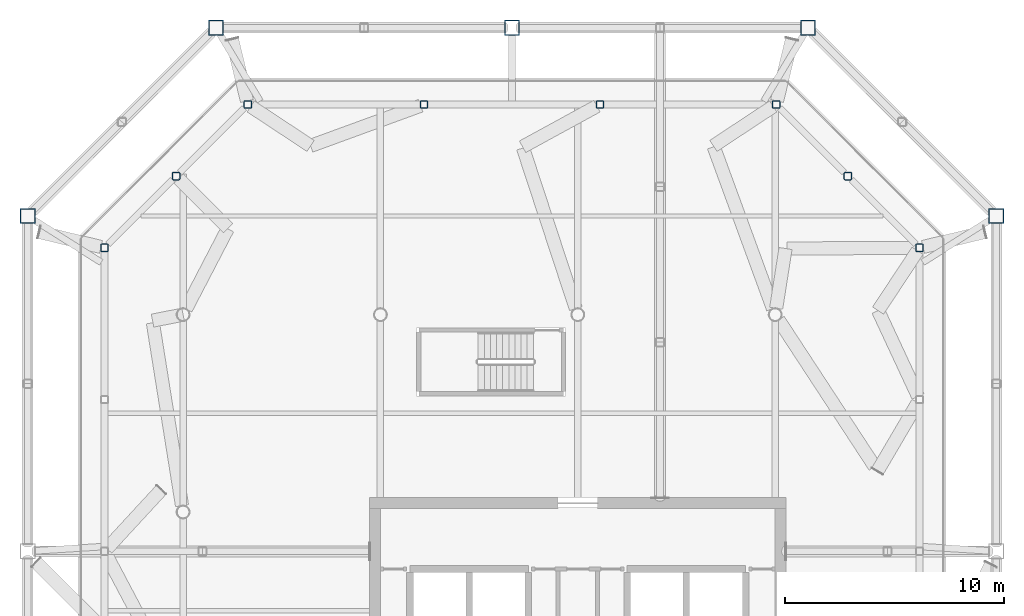
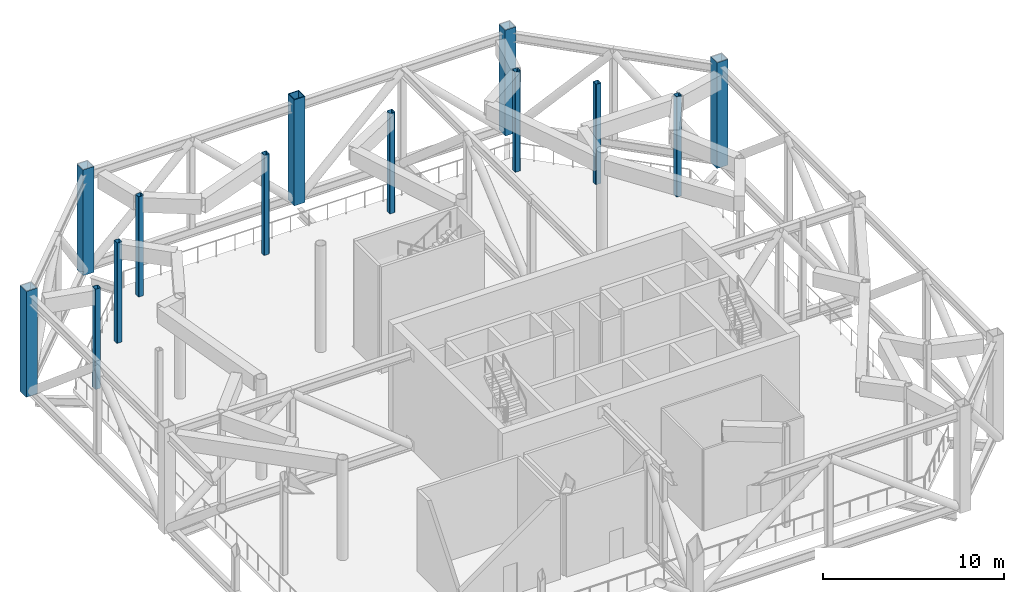
# One storey, part 2 of 17: 13 columns.
"""IFC4 building model written with IfcOpenShell, lengths in metres."""

from ifc_helpers import new_model, si_unit, direction, frame, origin, origin_2d, place, context, subcontext, project, spatial, hollow_rectangle, extrude, material, material_profile, profile_set, type_object, element, save


model = new_model("IFC4")

# Units and contexts
model_context = context("Model", 3, precision=1e-05, world=origin(), true_north=direction((0.0, 1.0)))
body_context = subcontext(model_context, "Body", "Model", "MODEL_VIEW")
ifc_project = project(units=[si_unit("LENGTHUNIT", "METRE"), si_unit("AREAUNIT", "SQUARE_METRE"), si_unit("VOLUMEUNIT", "CUBIC_METRE"), si_unit("PLANEANGLEUNIT", "RADIAN"), si_unit("MASSUNIT", "GRAM", prefix="KILO")], contexts=[model_context])

# Site, building, storey
site_placement = place(None, origin())
site = spatial("IfcSite", under=ifc_project, at=site_placement, CompositionType="ELEMENT")
building_placement = place(site_placement, origin())
building = spatial("IfcBuilding", under=site, at=building_placement, Name="Tskaro Facet Tower", CompositionType="ELEMENT")
storey_placement = place(building_placement, frame((0.0, 0.0, 210.0)))
storey = spatial("IfcBuildingStorey", under=building, at=storey_placement, Name="L54", CompositionType="ELEMENT", Elevation=210.0)

# Columns
ifc_material_1 = material(Name="Steel S460M", Category="steel")
ifc_material_profile_1 = material_profile(ifc_material_1, hollow_rectangle(XDim=0.699951171875, YDim=0.699951171875, WallThickness=0.044921875, at=origin_2d()), Name="BOX 700x700x45")
ifc_profile_set_1 = profile_set([ifc_material_profile_1], Name="Steel S460M")
column_type_1 = type_object("IfcColumnType", Name="BOX 700x700x45 mega column", PredefinedType="COLUMN", material=ifc_profile_set_1)
for number, where, z_axis, x_axis, name in (
    (1, (19.0849609375, 13.4970703125, 0.0), (0.0, 0.0, 1.0), (1.0, 0.0, 0.0), "BOX 700x700x45 MC06/4T"),
    (2, (10.4970703125, 22.0849609375, 0.0), (0.0, 0.0, 1.0), (1.0, 0.0, 0.0), "BOX 700x700x45 MC07/4T"),
):
    element("IfcColumn", number, at=place(storey_placement, frame(where, z_axis=z_axis, x_axis=x_axis)), inside=storey, type_object=column_type_1, Name=name, PredefinedType="COLUMN", context=body_context, shape_type="SweptSolid", body=[
        extrude(hollow_rectangle(XDim=0.699951171875, YDim=0.699951171875, WallThickness=0.044921875, at=origin_2d()), origin(), (0.0, 0.0, 1.0), 7.1513671875),
    ])
column_placement = place(storey_placement, frame((-3.0, 22.0849609375, 0.0), z_axis=(0.0, 0.0, 1.0), x_axis=(1.0, 0.0, 0.0)))
element("IfcColumn", 3, at=column_placement, inside=storey, type_object=column_type_1, Name="BOX 700x700x45 MC08/4T", PredefinedType="COLUMN", context=body_context, shape_type="SweptSolid", body=[
    extrude(hollow_rectangle(XDim=0.699951171875, YDim=0.699951171875, WallThickness=0.044921875, at=origin_2d()), origin(), (0.0, 0.0, 1.0), 7.168212890625),
])
for number, where, z_axis, x_axis, name in (
    (4, (-16.4970703125, 22.0849609375, 0.0), (0.0, 0.0, 1.0), (1.0, 0.0, 0.0), "BOX 700x700x45 MC09/4T"),
    (5, (-25.0849609375, 13.4970703125, 0.0), (0.0, 0.0, 1.0), (1.0, 0.0, 0.0), "BOX 700x700x45 MC10/4T"),
):
    element("IfcColumn", number, at=place(storey_placement, frame(where, z_axis=z_axis, x_axis=x_axis)), inside=storey, type_object=column_type_1, Name=name, PredefinedType="COLUMN", context=body_context, shape_type="SweptSolid", body=[
        extrude(hollow_rectangle(XDim=0.699951171875, YDim=0.699951171875, WallThickness=0.044921875, at=origin_2d()), origin(), (0.0, 0.0, 1.0), 7.1513671875),
    ])
ifc_material_2 = material(Name="Steel S355J2H", Category="steel")
ifc_material_profile_2 = material_profile(ifc_material_2, hollow_rectangle(XDim=0.35009765625, YDim=0.35009765625, WallThickness=0.02001953125, InnerFilletRadius=0.030029296875, OuterFilletRadius=0.050048828125, at=origin_2d()), Name="SHS 350x350x20")
ifc_profile_set_2 = profile_set([ifc_material_profile_2], Name="Steel S355J2H")
column_type_2 = type_object("IfcColumnType", Name="SHS 350x350x20 ring column", PredefinedType="COLUMN", material=ifc_profile_set_2)
for number, where, z_axis, x_axis, name in (
    (6, (15.5830078125, 12.0458984375, 0.0), (0.0, 0.0, 1.0), (1.0, 0.0, 0.0), "SHS 350x350x20 RNE-1/4"),
    (7, (12.31396484375, 15.31396484375, 0.0), (0.0, 0.0, 1.0), (1.0, 0.0, 0.0), "SHS 350x350x20 RNE-2/4"),
    (8, (9.0458984375, 18.5830078125, 0.0), (0.0, 0.0, 1.0), (1.0, 0.0, 0.0), "SHS 350x350x20 RN-1/4"),
    (9, (1.014892578125, 18.5830078125, 0.0), (0.0, 0.0, 1.0), (1.0, 0.0, 0.0), "SHS 350x350x20 RN-2/4"),
    (10, (-7.014892578125, 18.5830078125, 0.0), (0.0, 0.0, 1.0), (1.0, 0.0, 0.0), "SHS 350x350x20 RN-3/4"),
    (11, (-15.0458984375, 18.5830078125, 0.0), (0.0, 0.0, 1.0), (1.0, 0.0, 0.0), "SHS 350x350x20 RNW-1/4"),
    (12, (-18.31396484375, 15.31396484375, 0.0), (0.0, 0.0, 1.0), (1.0, 0.0, 0.0), "SHS 350x350x20 RNW-2/4"),
    (13, (-21.5830078125, 12.0458984375, 0.0), (0.0, 0.0, 1.0), (1.0, 0.0, 0.0), "SHS 350x350x20 RW-1/4"),
):
    element("IfcColumn", number, at=place(storey_placement, frame(where, z_axis=z_axis, x_axis=x_axis)), inside=storey, type_object=column_type_2, Name=name, PredefinedType="COLUMN", context=body_context, shape_type="SweptSolid", body=[
        extrude(hollow_rectangle(XDim=0.35009765625, YDim=0.35009765625, WallThickness=0.02001953125, InnerFilletRadius=0.030029296875, OuterFilletRadius=0.050048828125, at=origin_2d()), origin(), (0.0, 0.0, 1.0), 6.780029296875),
    ])

save(model, "model.ifc")
